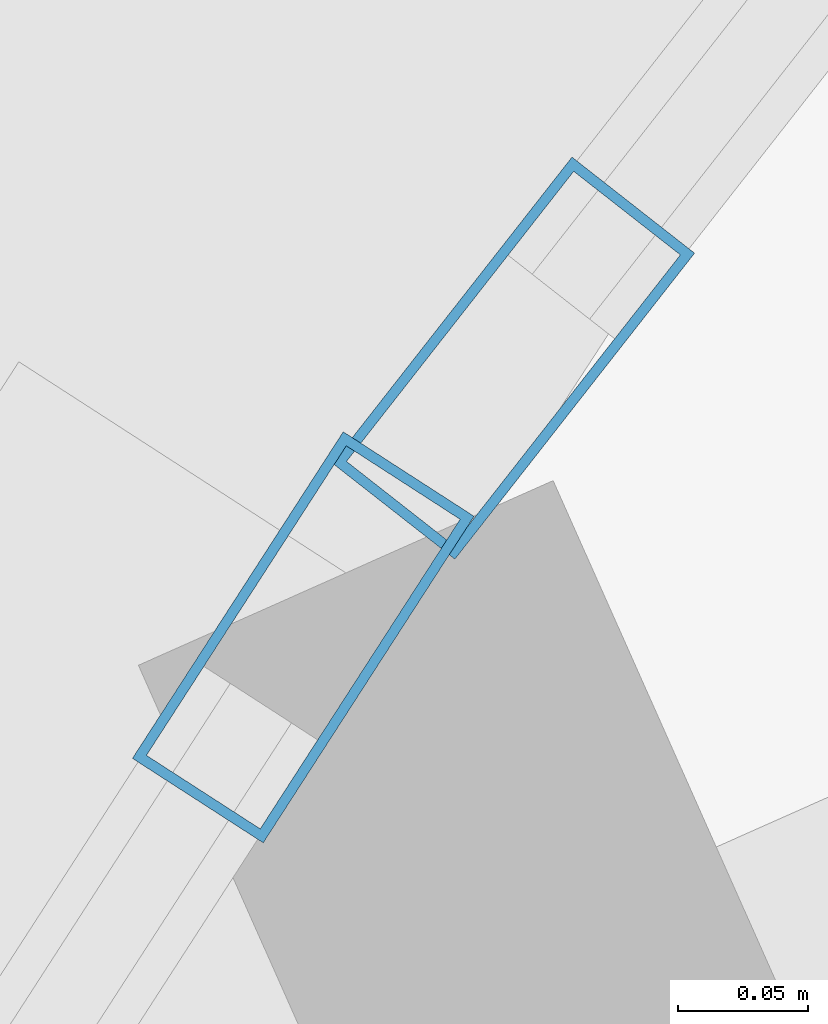
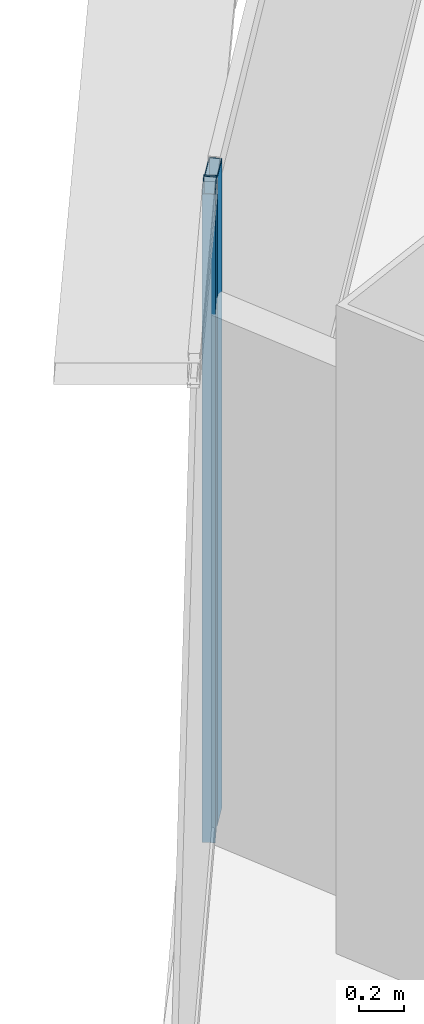
# One storey, part 18 of 36: 2 members, 2 elements without a shape of their own.
"""IFC4 building model written with IfcOpenShell, lengths in metres."""

from ifc_helpers import new_model, si_unit, direction, frame, origin, origin_2d, place, context, subcontext, project, spatial, hollow_rectangle, extrude, source, transform, mapped, material, layer, layer_set, material_profile, profile_set, type_object, element, aggregate, save


model = new_model("IFC4")

# Units and contexts
model_context = context("Model", 3, precision=1e-05, world=origin(), true_north=direction((0.0, 1.0)))
body_context = subcontext(model_context, "Body", "Model", "MODEL_VIEW")
ifc_project = project(units=[si_unit("LENGTHUNIT", "METRE"), si_unit("AREAUNIT", "SQUARE_METRE"), si_unit("VOLUMEUNIT", "CUBIC_METRE"), si_unit("PLANEANGLEUNIT", "RADIAN"), si_unit("MASSUNIT", "GRAM", prefix="KILO"), si_unit("THERMODYNAMICTEMPERATUREUNIT", "KELVIN"), si_unit("POWERUNIT", "WATT")], contexts=[model_context])

# Site, building, storey
site_placement = place(None, origin())
site = spatial("IfcSite", under=ifc_project, at=site_placement, CompositionType="ELEMENT")
building_placement = place(site_placement, origin())
building = spatial("IfcBuilding", under=site, at=building_placement, Name="Yunzhuo Pagoda Commons", CompositionType="ELEMENT")
storey_placement = place(building_placement, frame((0.0, 0.0, 215.159912109375)))
storey = spatial("IfcBuildingStorey", under=building, at=storey_placement, Name="L54", CompositionType="ELEMENT", Elevation=215.159912109375)

# Curtain wall, member
ifc_material = material(Name="Anodized aluminium 6063-T6", Category="aluminium")
ifc_layer = layer(ifc_material, 0.14990234375)
ifc_layer_set = layer_set([ifc_layer], Name="Anodized aluminium 6063-T6")
curtain_wall_type = type_object("IfcCurtainWallType", Name="CW-MID Mid-Zone Ribbon Curtain Wall", PredefinedType="NOTDEFINED", material=ifc_layer_set)
curtain_wall_1_placement = place(storey_placement, origin())
curtain_wall_1 = element("IfcCurtainWall", 1, at=curtain_wall_1_placement, inside=storey, type_object=curtain_wall_type, Name="L54 curtain wall CW-L54-F3B2", PredefinedType="NOTDEFINED")
ifc_material_profile = material_profile(ifc_material, hollow_rectangle(XDim=0.06005859375, YDim=0.14990234375, WallThickness=0.00390625, at=origin_2d()), Name="Anodized aluminium 6063-T6")
ifc_profile_set = profile_set([ifc_material_profile], Name="Anodized aluminium 6063-T6")
member_type = type_object("IfcMemberType", Name="CW-MID-M Mullion RHS 150x60x4", PredefinedType="MULLION", material=ifc_profile_set)
shared_shape = source(origin(), body_context, "Body", "SweptSolid", [
    extrude(hollow_rectangle(XDim=0.06005859375, YDim=0.14990234375, WallThickness=0.00390625, at=origin_2d()), origin(), (0.0, 0.0, 1.0), 3.52001953125),
])
member_1_placement = place(storey_placement, frame((32.68603515625, 68.0341796875, 0.0), z_axis=(0.0, 0.0, 1.0), x_axis=(0.840138139518, -0.542372479508, 0.0)))
member_1 = element("IfcMember", 2, at=member_1_placement, type_object=member_type, Name="CW mullion 1", PredefinedType="MULLION", context=body_context, shape_type="MappedRepresentation", body=[
    mapped(shared_shape, transform((0.0, 0.0, 0.0), scale=1.0)),
])
aggregate(curtain_wall_1, [member_1])

curtain_wall_2_placement = place(storey_placement, origin())
curtain_wall_2 = element("IfcCurtainWall", 3, at=curtain_wall_2_placement, inside=storey, type_object=curtain_wall_type, Name="L54 curtain wall CW-L54-F3B1", PredefinedType="NOTDEFINED")
member_2_placement = place(storey_placement, frame((32.76708984375, 68.141845703125, 0.0), z_axis=(0.0, 0.0, 1.0), x_axis=(0.78725022787, -0.616633666547, 0.0)))
member_2 = element("IfcMember", 4, at=member_2_placement, type_object=member_type, Name="CW mullion 2", PredefinedType="MULLION", context=body_context, shape_type="MappedRepresentation", body=[
    mapped(shared_shape, transform((0.0, 0.0, 0.0), scale=1.0)),
])
aggregate(curtain_wall_2, [member_2])

save(model, "model.ifc")
